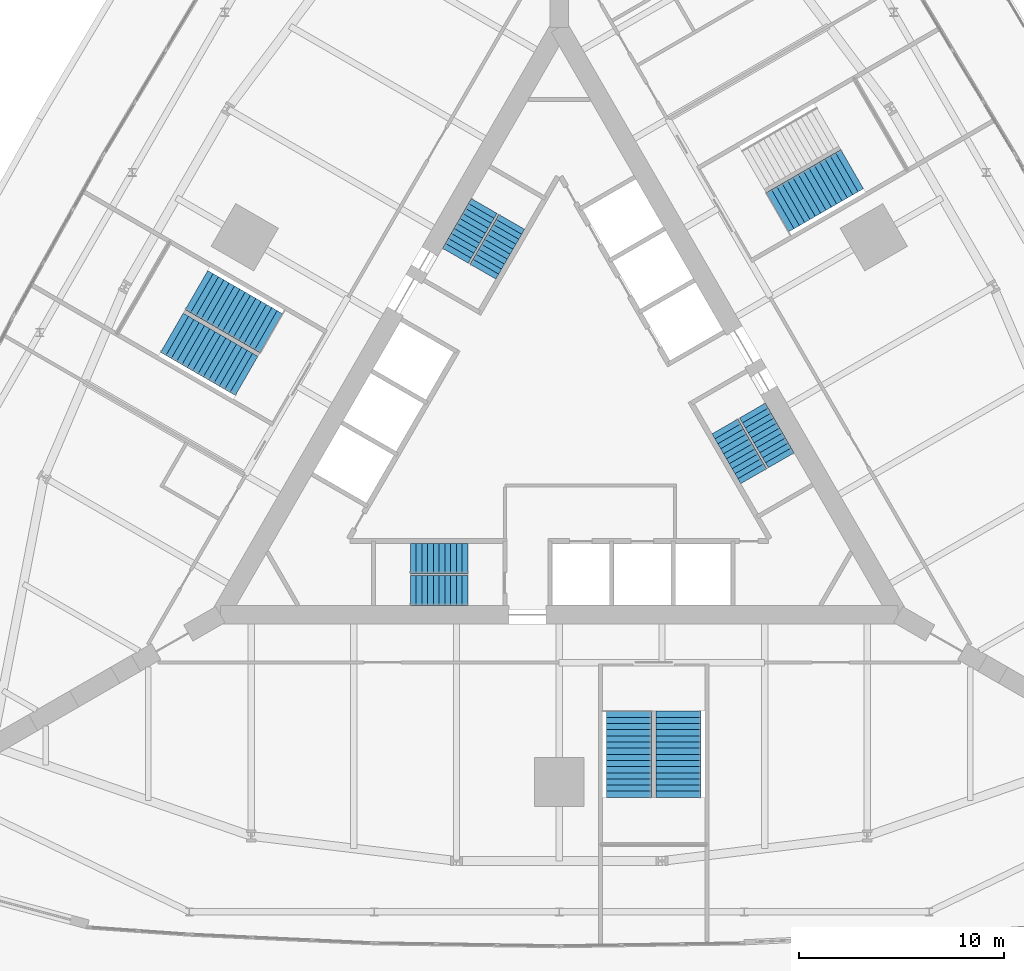
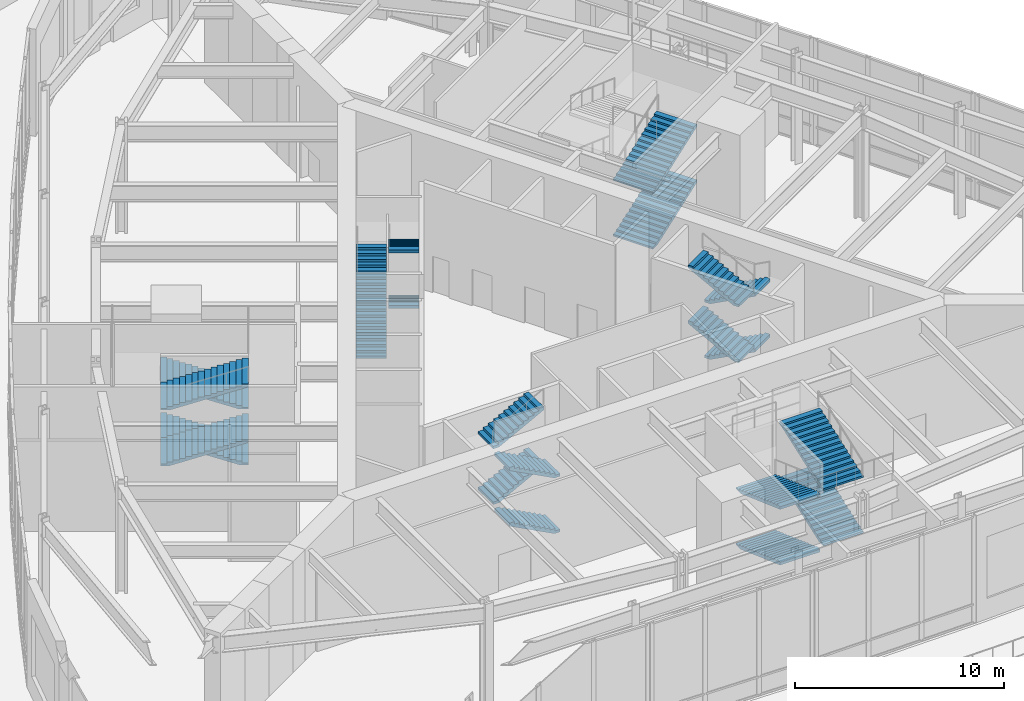
# One storey, part 15 of 19: 22 stair flights, 6 elements without a shape of their own.
"""IFC4 building model written with IfcOpenShell, lengths in metres."""

from ifc_helpers import new_model, si_unit, direction, frame, origin, place, context, subcontext, project, spatial, polyline, outline, extrude, material, type_object, element, aggregate, save


model = new_model("IFC4")

# Units and contexts
model_context = context("Model", 3, precision=1e-05, world=origin(), true_north=direction((0.0, 1.0)))
body_context = subcontext(model_context, "Body", "Model", "MODEL_VIEW")
ifc_project = project(units=[si_unit("LENGTHUNIT", "METRE"), si_unit("AREAUNIT", "SQUARE_METRE"), si_unit("VOLUMEUNIT", "CUBIC_METRE"), si_unit("PLANEANGLEUNIT", "RADIAN"), si_unit("MASSUNIT", "GRAM", prefix="KILO")], contexts=[model_context])

# Site, building, storey
site_placement = place(None, origin())
site = spatial("IfcSite", under=ifc_project, at=site_placement, CompositionType="ELEMENT")
building_placement = place(site_placement, origin())
building = spatial("IfcBuilding", under=site, at=building_placement, Name="Trikona Tower", CompositionType="ELEMENT")
storey_placement = place(building_placement, frame((0.0, 0.0, 11.0)))
storey = spatial("IfcBuildingStorey", under=building, at=storey_placement, Name="L02", CompositionType="ELEMENT", Elevation=11.0)

# Stair, stair flights
ifc_material_1 = material(Name="Concrete f'c 5000 psi", Category="concrete")
stair_type_1 = type_object("IfcStairType", Name="Core stair", PredefinedType="HALF_TURN_STAIR", material=ifc_material_1)
stair_1_placement = place(storey_placement, origin())
stair_1 = element("IfcStair", 1, at=stair_1_placement, inside=storey, type_object=stair_type_1, Name="Stair A L02", PredefinedType="HALF_TURN_STAIR")
ifc_material_2 = material(Name="Concrete f'c 5000 psi", Category="concrete")
stair_flight_type_1 = type_object("IfcStairFlightType", Name="Core stair flight 1450", PredefinedType="STRAIGHT", material=ifc_material_2)
stair_flight_1_placement = place(storey_placement, frame((-4.449951171875, -8.351318359375, 0.0), z_axis=(0.0, 0.0, 1.0), x_axis=(-1.0, 0.0, 0.0)))
stair_flight_1 = element("IfcStairFlight", 2, at=stair_flight_1_placement, type_object=stair_flight_type_1, Name="ST-A flight 1", NumberOfRisers=11, NumberOfTreads=10, PredefinedType="STRAIGHT", RiserHeight=0.147727, TreadLength=0.28, context=body_context, shape_type="SweptSolid", body=[
    extrude(outline(polyline([(0.0, 0.0), (0.0, 0.147705078125), (0.280029296875, 0.147705078125), (0.280029296875, 0.29541015625), (0.56005859375, 0.29541015625), (0.56005859375, 0.443115234375), (0.840087890625, 0.443115234375), (0.840087890625, 0.5908203125), (1.1201171875, 0.5908203125), (1.1201171875, 0.738525390625), (1.39990234375, 0.738525390625), (1.39990234375, 0.886474609375), (1.679931640625, 0.886474609375), (1.679931640625, 1.0341796875), (1.9599609375, 1.0341796875), (1.9599609375, 1.181884765625), (2.239990234375, 1.181884765625), (2.239990234375, 1.32958984375), (2.52001953125, 1.32958984375), (2.52001953125, 1.477294921875), (2.800048828125, 1.477294921875), (2.800048828125, 1.625), (2.800048828125, 1.307861328125), (0.3212890625, 0.0), (0.0, 0.0)])), frame((0.0, 0.72509765625, 0.0), z_axis=(0.0, -1.0, 0.0), x_axis=(1.0, 0.0, 0.0)), (0.0, 0.0, 1.0), 1.449951171875),
])
stair_flight_2_placement = place(storey_placement, frame((-7.25, -6.80126953125, 1.625), z_axis=(0.0, 0.0, 1.0), x_axis=(1.0, 0.0, 0.0)))
stair_flight_2 = element("IfcStairFlight", 3, at=stair_flight_2_placement, type_object=stair_flight_type_1, Name="ST-A flight 2", NumberOfRisers=11, NumberOfTreads=10, PredefinedType="STRAIGHT", RiserHeight=0.147727, TreadLength=0.28, context=body_context, shape_type="SweptSolid", body=[
    extrude(outline(polyline([(0.0, 0.0), (0.0, 0.147705078125), (0.280029296875, 0.147705078125), (0.280029296875, 0.29541015625), (0.56005859375, 0.29541015625), (0.56005859375, 0.443115234375), (0.840087890625, 0.443115234375), (0.840087890625, 0.5908203125), (1.1201171875, 0.5908203125), (1.1201171875, 0.738525390625), (1.39990234375, 0.738525390625), (1.39990234375, 0.886474609375), (1.679931640625, 0.886474609375), (1.679931640625, 1.0341796875), (1.9599609375, 1.0341796875), (1.9599609375, 1.181884765625), (2.239990234375, 1.181884765625), (2.239990234375, 1.32958984375), (2.52001953125, 1.32958984375), (2.52001953125, 1.477294921875), (2.800048828125, 1.477294921875), (2.800048828125, 1.625), (2.800048828125, 1.307861328125), (0.3212890625, 0.0), (0.0, 0.0)])), frame((0.0, 0.72509765625, 0.0), z_axis=(0.0, -1.0, 0.0), x_axis=(1.0, 0.0, 0.0)), (0.0, 0.0, 1.0), 1.449951171875),
])
stair_flight_3_placement = place(storey_placement, frame((-4.449951171875, -8.351318359375, 3.25), z_axis=(0.0, 0.0, 1.0), x_axis=(-1.0, 0.0, 0.0)))
stair_flight_3 = element("IfcStairFlight", 4, at=stair_flight_3_placement, type_object=stair_flight_type_1, Name="ST-A flight 3", NumberOfRisers=11, NumberOfTreads=10, PredefinedType="STRAIGHT", RiserHeight=0.147727, TreadLength=0.28, context=body_context, shape_type="SweptSolid", body=[
    extrude(outline(polyline([(0.0, 0.0), (0.0, 0.147705078125), (0.280029296875, 0.147705078125), (0.280029296875, 0.29541015625), (0.56005859375, 0.29541015625), (0.56005859375, 0.443115234375), (0.840087890625, 0.443115234375), (0.840087890625, 0.5908203125), (1.1201171875, 0.5908203125), (1.1201171875, 0.738525390625), (1.39990234375, 0.738525390625), (1.39990234375, 0.886474609375), (1.679931640625, 0.886474609375), (1.679931640625, 1.0341796875), (1.9599609375, 1.0341796875), (1.9599609375, 1.181884765625), (2.239990234375, 1.181884765625), (2.239990234375, 1.32958984375), (2.52001953125, 1.32958984375), (2.52001953125, 1.477294921875), (2.800048828125, 1.477294921875), (2.800048828125, 1.625), (2.800048828125, 1.307861328125), (0.3212890625, 0.0), (0.0, 0.0)])), frame((0.0, 0.72509765625, 0.0), z_axis=(0.0, -1.0, 0.0), x_axis=(1.0, 0.0, 0.0)), (0.0, 0.0, 1.0), 1.449951171875),
])
stair_flight_4_placement = place(storey_placement, frame((-7.25, -6.80126953125, 4.875), z_axis=(0.0, 0.0, 1.0), x_axis=(1.0, 0.0, 0.0)))
stair_flight_4 = element("IfcStairFlight", 5, at=stair_flight_4_placement, type_object=stair_flight_type_1, Name="ST-A flight 4", NumberOfRisers=11, NumberOfTreads=10, PredefinedType="STRAIGHT", RiserHeight=0.147727, TreadLength=0.28, context=body_context, shape_type="SweptSolid", body=[
    extrude(outline(polyline([(0.0, 0.0), (0.0, 0.147705078125), (0.280029296875, 0.147705078125), (0.280029296875, 0.29541015625), (0.56005859375, 0.29541015625), (0.56005859375, 0.443115234375), (0.840087890625, 0.443115234375), (0.840087890625, 0.5908203125), (1.1201171875, 0.5908203125), (1.1201171875, 0.738525390625), (1.39990234375, 0.738525390625), (1.39990234375, 0.886474609375), (1.679931640625, 0.886474609375), (1.679931640625, 1.0341796875), (1.9599609375, 1.0341796875), (1.9599609375, 1.181884765625), (2.239990234375, 1.181884765625), (2.239990234375, 1.32958984375), (2.52001953125, 1.32958984375), (2.52001953125, 1.477294921875), (2.800048828125, 1.477294921875), (2.800048828125, 1.625), (2.800048828125, 1.307861328125), (0.3212890625, 0.0), (0.0, 0.0)])), frame((0.0, 0.72509765625, 0.0), z_axis=(0.0, -1.0, 0.0), x_axis=(1.0, 0.0, 0.0)), (0.0, 0.0, 1.0), 1.449951171875),
])
aggregate(stair_1, [stair_flight_1, stair_flight_2, stair_flight_3, stair_flight_4])

stair_2_placement = place(storey_placement, origin())
stair_2 = element("IfcStair", 6, at=stair_2_placement, inside=storey, type_object=stair_type_1, Name="Stair B L02", PredefinedType="HALF_TURN_STAIR")
stair_flight_5_placement = place(storey_placement, frame((9.407470703125, 0.408447265625, 0.0), z_axis=(0.0, 0.0, 1.0), x_axis=(0.5, -0.866025403784, 0.0)))
stair_flight_5 = element("IfcStairFlight", 7, at=stair_flight_5_placement, type_object=stair_flight_type_1, Name="ST-B flight 1", NumberOfRisers=11, NumberOfTreads=10, PredefinedType="STRAIGHT", RiserHeight=0.147727, TreadLength=0.28, context=body_context, shape_type="SweptSolid", body=[
    extrude(outline(polyline([(0.0, 0.0), (0.0, 0.147705078125), (0.280029296875, 0.147705078125), (0.280029296875, 0.29541015625), (0.56005859375, 0.29541015625), (0.56005859375, 0.443115234375), (0.840087890625, 0.443115234375), (0.840087890625, 0.5908203125), (1.1201171875, 0.5908203125), (1.1201171875, 0.738525390625), (1.39990234375, 0.738525390625), (1.39990234375, 0.886474609375), (1.679931640625, 0.886474609375), (1.679931640625, 1.0341796875), (1.9599609375, 1.0341796875), (1.9599609375, 1.181884765625), (2.239990234375, 1.181884765625), (2.239990234375, 1.32958984375), (2.52001953125, 1.32958984375), (2.52001953125, 1.477294921875), (2.800048828125, 1.477294921875), (2.800048828125, 1.625), (2.800048828125, 1.307861328125), (0.3212890625, 0.0), (0.0, 0.0)])), frame((0.0, 0.72509765625, 0.0), z_axis=(0.0, -1.0, 0.0), x_axis=(1.0, 0.0, 0.0)), (0.0, 0.0, 1.0), 1.449951171875),
])
stair_flight_6_placement = place(storey_placement, frame((9.465087890625, -2.79150390625, 1.625), z_axis=(0.0, 0.0, 1.0), x_axis=(-0.5, 0.866025403784, 0.0)))
stair_flight_6 = element("IfcStairFlight", 8, at=stair_flight_6_placement, type_object=stair_flight_type_1, Name="ST-B flight 2", NumberOfRisers=11, NumberOfTreads=10, PredefinedType="STRAIGHT", RiserHeight=0.147727, TreadLength=0.28, context=body_context, shape_type="SweptSolid", body=[
    extrude(outline(polyline([(0.0, 0.0), (0.0, 0.147705078125), (0.280029296875, 0.147705078125), (0.280029296875, 0.29541015625), (0.56005859375, 0.29541015625), (0.56005859375, 0.443115234375), (0.840087890625, 0.443115234375), (0.840087890625, 0.5908203125), (1.1201171875, 0.5908203125), (1.1201171875, 0.738525390625), (1.39990234375, 0.738525390625), (1.39990234375, 0.886474609375), (1.679931640625, 0.886474609375), (1.679931640625, 1.0341796875), (1.9599609375, 1.0341796875), (1.9599609375, 1.181884765625), (2.239990234375, 1.181884765625), (2.239990234375, 1.32958984375), (2.52001953125, 1.32958984375), (2.52001953125, 1.477294921875), (2.800048828125, 1.477294921875), (2.800048828125, 1.625), (2.800048828125, 1.307861328125), (0.3212890625, 0.0), (0.0, 0.0)])), frame((0.0, 0.72509765625, 0.0), z_axis=(0.0, -1.0, 0.0), x_axis=(1.0, 0.0, 0.0)), (0.0, 0.0, 1.0), 1.449951171875),
])
stair_flight_7_placement = place(storey_placement, frame((9.407470703125, 0.408447265625, 3.25), z_axis=(0.0, 0.0, 1.0), x_axis=(0.5, -0.866025403784, 0.0)))
stair_flight_7 = element("IfcStairFlight", 9, at=stair_flight_7_placement, type_object=stair_flight_type_1, Name="ST-B flight 3", NumberOfRisers=11, NumberOfTreads=10, PredefinedType="STRAIGHT", RiserHeight=0.147727, TreadLength=0.28, context=body_context, shape_type="SweptSolid", body=[
    extrude(outline(polyline([(0.0, 0.0), (0.0, 0.147705078125), (0.280029296875, 0.147705078125), (0.280029296875, 0.29541015625), (0.56005859375, 0.29541015625), (0.56005859375, 0.443115234375), (0.840087890625, 0.443115234375), (0.840087890625, 0.5908203125), (1.1201171875, 0.5908203125), (1.1201171875, 0.738525390625), (1.39990234375, 0.738525390625), (1.39990234375, 0.886474609375), (1.679931640625, 0.886474609375), (1.679931640625, 1.0341796875), (1.9599609375, 1.0341796875), (1.9599609375, 1.181884765625), (2.239990234375, 1.181884765625), (2.239990234375, 1.32958984375), (2.52001953125, 1.32958984375), (2.52001953125, 1.477294921875), (2.800048828125, 1.477294921875), (2.800048828125, 1.625), (2.800048828125, 1.307861328125), (0.3212890625, 0.0), (0.0, 0.0)])), frame((0.0, 0.72509765625, 0.0), z_axis=(0.0, -1.0, 0.0), x_axis=(1.0, 0.0, 0.0)), (0.0, 0.0, 1.0), 1.449951171875),
])
stair_flight_8_placement = place(storey_placement, frame((9.465087890625, -2.79150390625, 4.875), z_axis=(0.0, 0.0, 1.0), x_axis=(-0.5, 0.866025403784, 0.0)))
stair_flight_8 = element("IfcStairFlight", 10, at=stair_flight_8_placement, type_object=stair_flight_type_1, Name="ST-B flight 4", NumberOfRisers=11, NumberOfTreads=10, PredefinedType="STRAIGHT", RiserHeight=0.147727, TreadLength=0.28, context=body_context, shape_type="SweptSolid", body=[
    extrude(outline(polyline([(0.0, 0.0), (0.0, 0.147705078125), (0.280029296875, 0.147705078125), (0.280029296875, 0.29541015625), (0.56005859375, 0.29541015625), (0.56005859375, 0.443115234375), (0.840087890625, 0.443115234375), (0.840087890625, 0.5908203125), (1.1201171875, 0.5908203125), (1.1201171875, 0.738525390625), (1.39990234375, 0.738525390625), (1.39990234375, 0.886474609375), (1.679931640625, 0.886474609375), (1.679931640625, 1.0341796875), (1.9599609375, 1.0341796875), (1.9599609375, 1.181884765625), (2.239990234375, 1.181884765625), (2.239990234375, 1.32958984375), (2.52001953125, 1.32958984375), (2.52001953125, 1.477294921875), (2.800048828125, 1.477294921875), (2.800048828125, 1.625), (2.800048828125, 1.307861328125), (0.3212890625, 0.0), (0.0, 0.0)])), frame((0.0, 0.72509765625, 0.0), z_axis=(0.0, -1.0, 0.0), x_axis=(1.0, 0.0, 0.0)), (0.0, 0.0, 1.0), 1.449951171875),
])
aggregate(stair_2, [stair_flight_5, stair_flight_6, stair_flight_7, stair_flight_8])

stair_3_placement = place(storey_placement, origin())
stair_3 = element("IfcStair", 11, at=stair_3_placement, inside=storey, type_object=stair_type_1, Name="Stair C L02", PredefinedType="HALF_TURN_STAIR")
stair_flight_9_placement = place(storey_placement, frame((-5.057373046875, 7.94287109375, 0.0), z_axis=(0.0, 0.0, 1.0), x_axis=(0.5, 0.866025403784, 0.0)))
stair_flight_9 = element("IfcStairFlight", 12, at=stair_flight_9_placement, type_object=stair_flight_type_1, Name="ST-C flight 1", NumberOfRisers=11, NumberOfTreads=10, PredefinedType="STRAIGHT", RiserHeight=0.147727, TreadLength=0.28, context=body_context, shape_type="SweptSolid", body=[
    extrude(outline(polyline([(0.0, 0.0), (0.0, 0.147705078125), (0.280029296875, 0.147705078125), (0.280029296875, 0.29541015625), (0.56005859375, 0.29541015625), (0.56005859375, 0.443115234375), (0.840087890625, 0.443115234375), (0.840087890625, 0.5908203125), (1.1201171875, 0.5908203125), (1.1201171875, 0.738525390625), (1.39990234375, 0.738525390625), (1.39990234375, 0.886474609375), (1.679931640625, 0.886474609375), (1.679931640625, 1.0341796875), (1.9599609375, 1.0341796875), (1.9599609375, 1.181884765625), (2.239990234375, 1.181884765625), (2.239990234375, 1.32958984375), (2.52001953125, 1.32958984375), (2.52001953125, 1.477294921875), (2.800048828125, 1.477294921875), (2.800048828125, 1.625), (2.800048828125, 1.307861328125), (0.3212890625, 0.0), (0.0, 0.0)])), frame((0.0, 0.72509765625, 0.0), z_axis=(0.0, -1.0, 0.0), x_axis=(1.0, 0.0, 0.0)), (0.0, 0.0, 1.0), 1.449951171875),
])
stair_flight_10_placement = place(storey_placement, frame((-2.315185546875, 9.5927734375, 1.625), z_axis=(0.0, 0.0, 1.0), x_axis=(-0.5, -0.866025403784, 0.0)))
stair_flight_10 = element("IfcStairFlight", 13, at=stair_flight_10_placement, type_object=stair_flight_type_1, Name="ST-C flight 2", NumberOfRisers=11, NumberOfTreads=10, PredefinedType="STRAIGHT", RiserHeight=0.147727, TreadLength=0.28, context=body_context, shape_type="SweptSolid", body=[
    extrude(outline(polyline([(0.0, 0.0), (0.0, 0.147705078125), (0.280029296875, 0.147705078125), (0.280029296875, 0.29541015625), (0.56005859375, 0.29541015625), (0.56005859375, 0.443115234375), (0.840087890625, 0.443115234375), (0.840087890625, 0.5908203125), (1.1201171875, 0.5908203125), (1.1201171875, 0.738525390625), (1.39990234375, 0.738525390625), (1.39990234375, 0.886474609375), (1.679931640625, 0.886474609375), (1.679931640625, 1.0341796875), (1.9599609375, 1.0341796875), (1.9599609375, 1.181884765625), (2.239990234375, 1.181884765625), (2.239990234375, 1.32958984375), (2.52001953125, 1.32958984375), (2.52001953125, 1.477294921875), (2.800048828125, 1.477294921875), (2.800048828125, 1.625), (2.800048828125, 1.307861328125), (0.3212890625, 0.0), (0.0, 0.0)])), frame((0.0, 0.72509765625, 0.0), z_axis=(0.0, -1.0, 0.0), x_axis=(1.0, 0.0, 0.0)), (0.0, 0.0, 1.0), 1.449951171875),
])
stair_flight_11_placement = place(storey_placement, frame((-5.057373046875, 7.94287109375, 3.25), z_axis=(0.0, 0.0, 1.0), x_axis=(0.5, 0.866025403784, 0.0)))
stair_flight_11 = element("IfcStairFlight", 14, at=stair_flight_11_placement, type_object=stair_flight_type_1, Name="ST-C flight 3", NumberOfRisers=11, NumberOfTreads=10, PredefinedType="STRAIGHT", RiserHeight=0.147727, TreadLength=0.28, context=body_context, shape_type="SweptSolid", body=[
    extrude(outline(polyline([(0.0, 0.0), (0.0, 0.147705078125), (0.280029296875, 0.147705078125), (0.280029296875, 0.29541015625), (0.56005859375, 0.29541015625), (0.56005859375, 0.443115234375), (0.840087890625, 0.443115234375), (0.840087890625, 0.5908203125), (1.1201171875, 0.5908203125), (1.1201171875, 0.738525390625), (1.39990234375, 0.738525390625), (1.39990234375, 0.886474609375), (1.679931640625, 0.886474609375), (1.679931640625, 1.0341796875), (1.9599609375, 1.0341796875), (1.9599609375, 1.181884765625), (2.239990234375, 1.181884765625), (2.239990234375, 1.32958984375), (2.52001953125, 1.32958984375), (2.52001953125, 1.477294921875), (2.800048828125, 1.477294921875), (2.800048828125, 1.625), (2.800048828125, 1.307861328125), (0.3212890625, 0.0), (0.0, 0.0)])), frame((0.0, 0.72509765625, 0.0), z_axis=(0.0, -1.0, 0.0), x_axis=(1.0, 0.0, 0.0)), (0.0, 0.0, 1.0), 1.449951171875),
])
stair_flight_12_placement = place(storey_placement, frame((-2.315185546875, 9.5927734375, 4.875), z_axis=(0.0, 0.0, 1.0), x_axis=(-0.5, -0.866025403784, 0.0)))
stair_flight_12 = element("IfcStairFlight", 15, at=stair_flight_12_placement, type_object=stair_flight_type_1, Name="ST-C flight 4", NumberOfRisers=11, NumberOfTreads=10, PredefinedType="STRAIGHT", RiserHeight=0.147727, TreadLength=0.28, context=body_context, shape_type="SweptSolid", body=[
    extrude(outline(polyline([(0.0, 0.0), (0.0, 0.147705078125), (0.280029296875, 0.147705078125), (0.280029296875, 0.29541015625), (0.56005859375, 0.29541015625), (0.56005859375, 0.443115234375), (0.840087890625, 0.443115234375), (0.840087890625, 0.5908203125), (1.1201171875, 0.5908203125), (1.1201171875, 0.738525390625), (1.39990234375, 0.738525390625), (1.39990234375, 0.886474609375), (1.679931640625, 0.886474609375), (1.679931640625, 1.0341796875), (1.9599609375, 1.0341796875), (1.9599609375, 1.181884765625), (2.239990234375, 1.181884765625), (2.239990234375, 1.32958984375), (2.52001953125, 1.32958984375), (2.52001953125, 1.477294921875), (2.800048828125, 1.477294921875), (2.800048828125, 1.625), (2.800048828125, 1.307861328125), (0.3212890625, 0.0), (0.0, 0.0)])), frame((0.0, 0.72509765625, 0.0), z_axis=(0.0, -1.0, 0.0), x_axis=(1.0, 0.0, 0.0)), (0.0, 0.0, 1.0), 1.449951171875),
])
aggregate(stair_3, [stair_flight_9, stair_flight_10, stair_flight_11, stair_flight_12])

ifc_material_3 = material(Name="Concrete f'c 5000 psi", Category="concrete")
stair_type_2 = type_object("IfcStairType", Name="Podium stair", PredefinedType="HALF_TURN_STAIR", material=ifc_material_3)
stair_4_placement = place(storey_placement, origin())
stair_4 = element("IfcStair", 16, at=stair_4_placement, inside=storey, type_object=stair_type_2, Name="Podium stair PS1 L02", PredefinedType="HALF_TURN_STAIR")
ifc_material_4 = material(Name="Concrete f'c 5000 psi", Category="concrete")
stair_flight_type_2 = type_object("IfcStairFlightType", Name="Podium stair flight 2200", PredefinedType="STRAIGHT", material=ifc_material_4)
stair_flight_13_placement = place(storey_placement, frame((3.39990234375, -14.226318359375, 0.0), z_axis=(0.0, 0.0, 1.0), x_axis=(0.0, -1.0, 0.0)))
stair_flight_13 = element("IfcStairFlight", 17, at=stair_flight_13_placement, type_object=stair_flight_type_2, Name="PS1 flight 1", NumberOfRisers=15, NumberOfTreads=14, PredefinedType="STRAIGHT", RiserHeight=0.108333, TreadLength=0.3, context=body_context, shape_type="SweptSolid", body=[
    extrude(outline(polyline([(0.0, 0.0), (0.0, 0.1083984375), (0.300048828125, 0.1083984375), (0.300048828125, 0.216552734375), (0.60009765625, 0.216552734375), (0.60009765625, 0.324951171875), (0.89990234375, 0.324951171875), (0.89990234375, 0.433349609375), (1.199951171875, 0.433349609375), (1.199951171875, 0.541748046875), (1.5, 0.541748046875), (1.5, 0.64990234375), (1.800048828125, 0.64990234375), (1.800048828125, 0.75830078125), (2.10009765625, 0.75830078125), (2.10009765625, 0.86669921875), (2.39990234375, 0.86669921875), (2.39990234375, 0.97509765625), (2.699951171875, 0.97509765625), (2.699951171875, 1.083251953125), (3.0, 1.083251953125), (3.0, 1.191650390625), (3.300048828125, 1.191650390625), (3.300048828125, 1.300048828125), (3.60009765625, 1.300048828125), (3.60009765625, 1.408447265625), (3.89990234375, 1.408447265625), (3.89990234375, 1.5166015625), (4.199951171875, 1.5166015625), (4.199951171875, 1.625), (4.199951171875, 1.357177734375), (0.44140625, 0.0), (0.0, 0.0)])), frame((0.0, 1.10009765625, 0.0), z_axis=(0.0, -1.0, 0.0), x_axis=(1.0, 0.0, 0.0)), (0.0, 0.0, 1.0), 2.199951171875),
])
stair_flight_14_placement = place(storey_placement, frame((5.800048828125, -18.42626953125, 1.625), z_axis=(0.0, 0.0, 1.0), x_axis=(0.0, 1.0, 0.0)))
stair_flight_14 = element("IfcStairFlight", 18, at=stair_flight_14_placement, type_object=stair_flight_type_2, Name="PS1 flight 2", NumberOfRisers=15, NumberOfTreads=14, PredefinedType="STRAIGHT", RiserHeight=0.108333, TreadLength=0.3, context=body_context, shape_type="SweptSolid", body=[
    extrude(outline(polyline([(0.0, 0.0), (0.0, 0.1083984375), (0.300048828125, 0.1083984375), (0.300048828125, 0.216552734375), (0.60009765625, 0.216552734375), (0.60009765625, 0.324951171875), (0.89990234375, 0.324951171875), (0.89990234375, 0.433349609375), (1.199951171875, 0.433349609375), (1.199951171875, 0.541748046875), (1.5, 0.541748046875), (1.5, 0.64990234375), (1.800048828125, 0.64990234375), (1.800048828125, 0.75830078125), (2.10009765625, 0.75830078125), (2.10009765625, 0.86669921875), (2.39990234375, 0.86669921875), (2.39990234375, 0.97509765625), (2.699951171875, 0.97509765625), (2.699951171875, 1.083251953125), (3.0, 1.083251953125), (3.0, 1.191650390625), (3.300048828125, 1.191650390625), (3.300048828125, 1.300048828125), (3.60009765625, 1.300048828125), (3.60009765625, 1.408447265625), (3.89990234375, 1.408447265625), (3.89990234375, 1.5166015625), (4.199951171875, 1.5166015625), (4.199951171875, 1.625), (4.199951171875, 1.357177734375), (0.44140625, 0.0), (0.0, 0.0)])), frame((0.0, 1.10009765625, 0.0), z_axis=(0.0, -1.0, 0.0), x_axis=(1.0, 0.0, 0.0)), (0.0, 0.0, 1.0), 2.199951171875),
])
stair_flight_15_placement = place(storey_placement, frame((3.39990234375, -14.226318359375, 3.25), z_axis=(0.0, 0.0, 1.0), x_axis=(0.0, -1.0, 0.0)))
stair_flight_15 = element("IfcStairFlight", 19, at=stair_flight_15_placement, type_object=stair_flight_type_2, Name="PS1 flight 3", NumberOfRisers=15, NumberOfTreads=14, PredefinedType="STRAIGHT", RiserHeight=0.108333, TreadLength=0.3, context=body_context, shape_type="SweptSolid", body=[
    extrude(outline(polyline([(0.0, 0.0), (0.0, 0.1083984375), (0.300048828125, 0.1083984375), (0.300048828125, 0.216552734375), (0.60009765625, 0.216552734375), (0.60009765625, 0.324951171875), (0.89990234375, 0.324951171875), (0.89990234375, 0.433349609375), (1.199951171875, 0.433349609375), (1.199951171875, 0.541748046875), (1.5, 0.541748046875), (1.5, 0.64990234375), (1.800048828125, 0.64990234375), (1.800048828125, 0.75830078125), (2.10009765625, 0.75830078125), (2.10009765625, 0.86669921875), (2.39990234375, 0.86669921875), (2.39990234375, 0.97509765625), (2.699951171875, 0.97509765625), (2.699951171875, 1.083251953125), (3.0, 1.083251953125), (3.0, 1.191650390625), (3.300048828125, 1.191650390625), (3.300048828125, 1.300048828125), (3.60009765625, 1.300048828125), (3.60009765625, 1.408447265625), (3.89990234375, 1.408447265625), (3.89990234375, 1.5166015625), (4.199951171875, 1.5166015625), (4.199951171875, 1.625), (4.199951171875, 1.357177734375), (0.44140625, 0.0), (0.0, 0.0)])), frame((0.0, 1.10009765625, 0.0), z_axis=(0.0, -1.0, 0.0), x_axis=(1.0, 0.0, 0.0)), (0.0, 0.0, 1.0), 2.199951171875),
])
stair_flight_16_placement = place(storey_placement, frame((5.800048828125, -18.42626953125, 4.875), z_axis=(0.0, 0.0, 1.0), x_axis=(0.0, 1.0, 0.0)))
stair_flight_16 = element("IfcStairFlight", 20, at=stair_flight_16_placement, type_object=stair_flight_type_2, Name="PS1 flight 4", NumberOfRisers=15, NumberOfTreads=14, PredefinedType="STRAIGHT", RiserHeight=0.108333, TreadLength=0.3, context=body_context, shape_type="SweptSolid", body=[
    extrude(outline(polyline([(0.0, 0.0), (0.0, 0.1083984375), (0.300048828125, 0.1083984375), (0.300048828125, 0.216552734375), (0.60009765625, 0.216552734375), (0.60009765625, 0.324951171875), (0.89990234375, 0.324951171875), (0.89990234375, 0.433349609375), (1.199951171875, 0.433349609375), (1.199951171875, 0.541748046875), (1.5, 0.541748046875), (1.5, 0.64990234375), (1.800048828125, 0.64990234375), (1.800048828125, 0.75830078125), (2.10009765625, 0.75830078125), (2.10009765625, 0.86669921875), (2.39990234375, 0.86669921875), (2.39990234375, 0.97509765625), (2.699951171875, 0.97509765625), (2.699951171875, 1.083251953125), (3.0, 1.083251953125), (3.0, 1.191650390625), (3.300048828125, 1.191650390625), (3.300048828125, 1.300048828125), (3.60009765625, 1.300048828125), (3.60009765625, 1.408447265625), (3.89990234375, 1.408447265625), (3.89990234375, 1.5166015625), (4.199951171875, 1.5166015625), (4.199951171875, 1.625), (4.199951171875, 1.357177734375), (0.44140625, 0.0), (0.0, 0.0)])), frame((0.0, 1.10009765625, 0.0), z_axis=(0.0, -1.0, 0.0), x_axis=(1.0, 0.0, 0.0)), (0.0, 0.0, 1.0), 2.199951171875),
])
aggregate(stair_4, [stair_flight_13, stair_flight_14, stair_flight_15, stair_flight_16])

stair_5_placement = place(storey_placement, origin())
stair_5 = element("IfcStair", 21, at=stair_5_placement, inside=storey, type_object=stair_type_2, Name="Podium stair PS2 L02", PredefinedType="HALF_TURN_STAIR")
stair_flight_17_placement = place(storey_placement, frame((10.620361328125, 10.0576171875, 0.0), z_axis=(0.0, 0.0, 1.0), x_axis=(0.866025403784, 0.5, 0.0)))
stair_flight_17 = element("IfcStairFlight", 22, at=stair_flight_17_placement, type_object=stair_flight_type_2, Name="PS2 flight 1", NumberOfRisers=15, NumberOfTreads=14, PredefinedType="STRAIGHT", RiserHeight=0.108333, TreadLength=0.3, context=body_context, shape_type="SweptSolid", body=[
    extrude(outline(polyline([(0.0, 0.0), (0.0, 0.1083984375), (0.300048828125, 0.1083984375), (0.300048828125, 0.216552734375), (0.60009765625, 0.216552734375), (0.60009765625, 0.324951171875), (0.89990234375, 0.324951171875), (0.89990234375, 0.433349609375), (1.199951171875, 0.433349609375), (1.199951171875, 0.541748046875), (1.5, 0.541748046875), (1.5, 0.64990234375), (1.800048828125, 0.64990234375), (1.800048828125, 0.75830078125), (2.10009765625, 0.75830078125), (2.10009765625, 0.86669921875), (2.39990234375, 0.86669921875), (2.39990234375, 0.97509765625), (2.699951171875, 0.97509765625), (2.699951171875, 1.083251953125), (3.0, 1.083251953125), (3.0, 1.191650390625), (3.300048828125, 1.191650390625), (3.300048828125, 1.300048828125), (3.60009765625, 1.300048828125), (3.60009765625, 1.408447265625), (3.89990234375, 1.408447265625), (3.89990234375, 1.5166015625), (4.199951171875, 1.5166015625), (4.199951171875, 1.625), (4.199951171875, 1.357177734375), (0.44140625, 0.0), (0.0, 0.0)])), frame((0.0, 1.10009765625, 0.0), z_axis=(0.0, -1.0, 0.0), x_axis=(1.0, 0.0, 0.0)), (0.0, 0.0, 1.0), 2.199951171875),
])
stair_flight_18_placement = place(storey_placement, frame((10.620361328125, 10.0576171875, 3.25), z_axis=(0.0, 0.0, 1.0), x_axis=(0.866025403784, 0.5, 0.0)))
stair_flight_18 = element("IfcStairFlight", 23, at=stair_flight_18_placement, type_object=stair_flight_type_2, Name="PS2 flight 3", NumberOfRisers=15, NumberOfTreads=14, PredefinedType="STRAIGHT", RiserHeight=0.108333, TreadLength=0.3, context=body_context, shape_type="SweptSolid", body=[
    extrude(outline(polyline([(0.0, 0.0), (0.0, 0.1083984375), (0.300048828125, 0.1083984375), (0.300048828125, 0.216552734375), (0.60009765625, 0.216552734375), (0.60009765625, 0.324951171875), (0.89990234375, 0.324951171875), (0.89990234375, 0.433349609375), (1.199951171875, 0.433349609375), (1.199951171875, 0.541748046875), (1.5, 0.541748046875), (1.5, 0.64990234375), (1.800048828125, 0.64990234375), (1.800048828125, 0.75830078125), (2.10009765625, 0.75830078125), (2.10009765625, 0.86669921875), (2.39990234375, 0.86669921875), (2.39990234375, 0.97509765625), (2.699951171875, 0.97509765625), (2.699951171875, 1.083251953125), (3.0, 1.083251953125), (3.0, 1.191650390625), (3.300048828125, 1.191650390625), (3.300048828125, 1.300048828125), (3.60009765625, 1.300048828125), (3.60009765625, 1.408447265625), (3.89990234375, 1.408447265625), (3.89990234375, 1.5166015625), (4.199951171875, 1.5166015625), (4.199951171875, 1.625), (4.199951171875, 1.357177734375), (0.44140625, 0.0), (0.0, 0.0)])), frame((0.0, 1.10009765625, 0.0), z_axis=(0.0, -1.0, 0.0), x_axis=(1.0, 0.0, 0.0)), (0.0, 0.0, 1.0), 2.199951171875),
])
aggregate(stair_5, [stair_flight_17, stair_flight_18])

stair_6_placement = place(storey_placement, origin())
stair_6 = element("IfcStair", 24, at=stair_6_placement, inside=storey, type_object=stair_type_2, Name="Podium stair PS3 L02", PredefinedType="HALF_TURN_STAIR")
stair_flight_19_placement = place(storey_placement, frame((-14.020263671875, 4.168701171875, 0.0), z_axis=(0.0, 0.0, 1.0), x_axis=(-0.866025403784, 0.5, 0.0)))
stair_flight_19 = element("IfcStairFlight", 25, at=stair_flight_19_placement, type_object=stair_flight_type_2, Name="PS3 flight 1", NumberOfRisers=15, NumberOfTreads=14, PredefinedType="STRAIGHT", RiserHeight=0.108333, TreadLength=0.3, context=body_context, shape_type="SweptSolid", body=[
    extrude(outline(polyline([(0.0, 0.0), (0.0, 0.1083984375), (0.300048828125, 0.1083984375), (0.300048828125, 0.216552734375), (0.60009765625, 0.216552734375), (0.60009765625, 0.324951171875), (0.89990234375, 0.324951171875), (0.89990234375, 0.433349609375), (1.199951171875, 0.433349609375), (1.199951171875, 0.541748046875), (1.5, 0.541748046875), (1.5, 0.64990234375), (1.800048828125, 0.64990234375), (1.800048828125, 0.75830078125), (2.10009765625, 0.75830078125), (2.10009765625, 0.86669921875), (2.39990234375, 0.86669921875), (2.39990234375, 0.97509765625), (2.699951171875, 0.97509765625), (2.699951171875, 1.083251953125), (3.0, 1.083251953125), (3.0, 1.191650390625), (3.300048828125, 1.191650390625), (3.300048828125, 1.300048828125), (3.60009765625, 1.300048828125), (3.60009765625, 1.408447265625), (3.89990234375, 1.408447265625), (3.89990234375, 1.5166015625), (4.199951171875, 1.5166015625), (4.199951171875, 1.625), (4.199951171875, 1.357177734375), (0.44140625, 0.0), (0.0, 0.0)])), frame((0.0, 1.10009765625, 0.0), z_axis=(0.0, -1.0, 0.0), x_axis=(1.0, 0.0, 0.0)), (0.0, 0.0, 1.0), 2.199951171875),
])
stair_flight_20_placement = place(storey_placement, frame((-18.857666015625, 4.190185546875, 1.625), z_axis=(0.0, 0.0, 1.0), x_axis=(0.866025403784, -0.5, 0.0)))
stair_flight_20 = element("IfcStairFlight", 26, at=stair_flight_20_placement, type_object=stair_flight_type_2, Name="PS3 flight 2", NumberOfRisers=15, NumberOfTreads=14, PredefinedType="STRAIGHT", RiserHeight=0.108333, TreadLength=0.3, context=body_context, shape_type="SweptSolid", body=[
    extrude(outline(polyline([(0.0, 0.0), (0.0, 0.1083984375), (0.300048828125, 0.1083984375), (0.300048828125, 0.216552734375), (0.60009765625, 0.216552734375), (0.60009765625, 0.324951171875), (0.89990234375, 0.324951171875), (0.89990234375, 0.433349609375), (1.199951171875, 0.433349609375), (1.199951171875, 0.541748046875), (1.5, 0.541748046875), (1.5, 0.64990234375), (1.800048828125, 0.64990234375), (1.800048828125, 0.75830078125), (2.10009765625, 0.75830078125), (2.10009765625, 0.86669921875), (2.39990234375, 0.86669921875), (2.39990234375, 0.97509765625), (2.699951171875, 0.97509765625), (2.699951171875, 1.083251953125), (3.0, 1.083251953125), (3.0, 1.191650390625), (3.300048828125, 1.191650390625), (3.300048828125, 1.300048828125), (3.60009765625, 1.300048828125), (3.60009765625, 1.408447265625), (3.89990234375, 1.408447265625), (3.89990234375, 1.5166015625), (4.199951171875, 1.5166015625), (4.199951171875, 1.625), (4.199951171875, 1.357177734375), (0.44140625, 0.0), (0.0, 0.0)])), frame((0.0, 1.10009765625, 0.0), z_axis=(0.0, -1.0, 0.0), x_axis=(1.0, 0.0, 0.0)), (0.0, 0.0, 1.0), 2.199951171875),
])
stair_flight_21_placement = place(storey_placement, frame((-14.020263671875, 4.168701171875, 3.25), z_axis=(0.0, 0.0, 1.0), x_axis=(-0.866025403784, 0.5, 0.0)))
stair_flight_21 = element("IfcStairFlight", 27, at=stair_flight_21_placement, type_object=stair_flight_type_2, Name="PS3 flight 3", NumberOfRisers=15, NumberOfTreads=14, PredefinedType="STRAIGHT", RiserHeight=0.108333, TreadLength=0.3, context=body_context, shape_type="SweptSolid", body=[
    extrude(outline(polyline([(0.0, 0.0), (0.0, 0.1083984375), (0.300048828125, 0.1083984375), (0.300048828125, 0.216552734375), (0.60009765625, 0.216552734375), (0.60009765625, 0.324951171875), (0.89990234375, 0.324951171875), (0.89990234375, 0.433349609375), (1.199951171875, 0.433349609375), (1.199951171875, 0.541748046875), (1.5, 0.541748046875), (1.5, 0.64990234375), (1.800048828125, 0.64990234375), (1.800048828125, 0.75830078125), (2.10009765625, 0.75830078125), (2.10009765625, 0.86669921875), (2.39990234375, 0.86669921875), (2.39990234375, 0.97509765625), (2.699951171875, 0.97509765625), (2.699951171875, 1.083251953125), (3.0, 1.083251953125), (3.0, 1.191650390625), (3.300048828125, 1.191650390625), (3.300048828125, 1.300048828125), (3.60009765625, 1.300048828125), (3.60009765625, 1.408447265625), (3.89990234375, 1.408447265625), (3.89990234375, 1.5166015625), (4.199951171875, 1.5166015625), (4.199951171875, 1.625), (4.199951171875, 1.357177734375), (0.44140625, 0.0), (0.0, 0.0)])), frame((0.0, 1.10009765625, 0.0), z_axis=(0.0, -1.0, 0.0), x_axis=(1.0, 0.0, 0.0)), (0.0, 0.0, 1.0), 2.199951171875),
])
stair_flight_22_placement = place(storey_placement, frame((-18.857666015625, 4.190185546875, 4.875), z_axis=(0.0, 0.0, 1.0), x_axis=(0.866025403784, -0.5, 0.0)))
stair_flight_22 = element("IfcStairFlight", 28, at=stair_flight_22_placement, type_object=stair_flight_type_2, Name="PS3 flight 4", NumberOfRisers=15, NumberOfTreads=14, PredefinedType="STRAIGHT", RiserHeight=0.108333, TreadLength=0.3, context=body_context, shape_type="SweptSolid", body=[
    extrude(outline(polyline([(0.0, 0.0), (0.0, 0.1083984375), (0.300048828125, 0.1083984375), (0.300048828125, 0.216552734375), (0.60009765625, 0.216552734375), (0.60009765625, 0.324951171875), (0.89990234375, 0.324951171875), (0.89990234375, 0.433349609375), (1.199951171875, 0.433349609375), (1.199951171875, 0.541748046875), (1.5, 0.541748046875), (1.5, 0.64990234375), (1.800048828125, 0.64990234375), (1.800048828125, 0.75830078125), (2.10009765625, 0.75830078125), (2.10009765625, 0.86669921875), (2.39990234375, 0.86669921875), (2.39990234375, 0.97509765625), (2.699951171875, 0.97509765625), (2.699951171875, 1.083251953125), (3.0, 1.083251953125), (3.0, 1.191650390625), (3.300048828125, 1.191650390625), (3.300048828125, 1.300048828125), (3.60009765625, 1.300048828125), (3.60009765625, 1.408447265625), (3.89990234375, 1.408447265625), (3.89990234375, 1.5166015625), (4.199951171875, 1.5166015625), (4.199951171875, 1.625), (4.199951171875, 1.357177734375), (0.44140625, 0.0), (0.0, 0.0)])), frame((0.0, 1.10009765625, 0.0), z_axis=(0.0, -1.0, 0.0), x_axis=(1.0, 0.0, 0.0)), (0.0, 0.0, 1.0), 2.199951171875),
])
aggregate(stair_6, [stair_flight_19, stair_flight_20, stair_flight_21, stair_flight_22])

save(model, "model.ifc")
